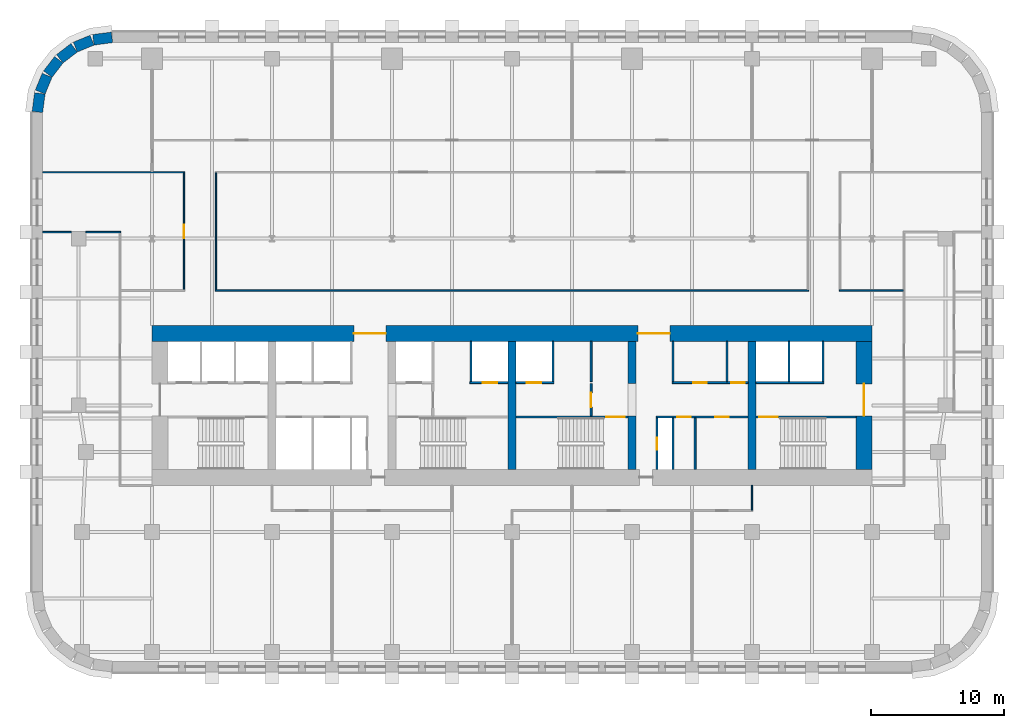
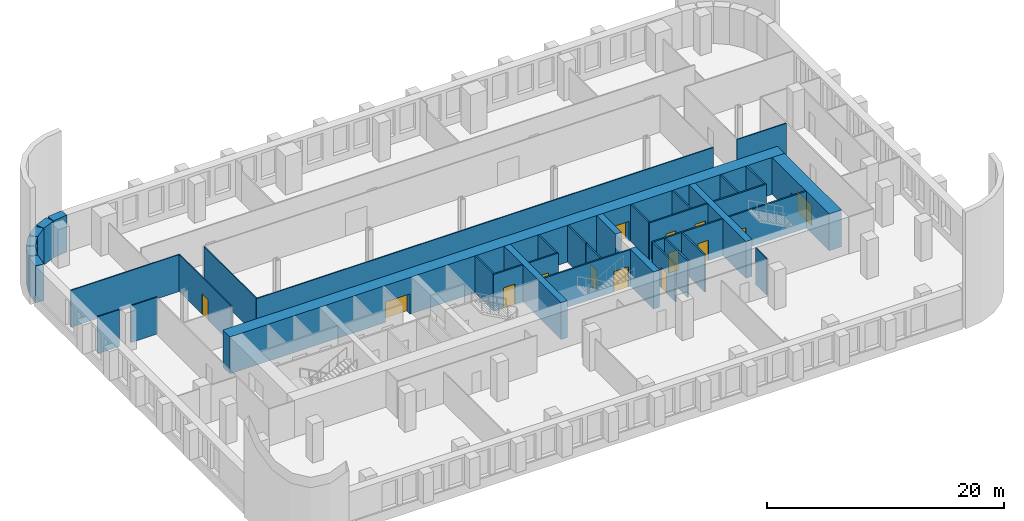
# One storey, part 6 of 12: 38 walls, 14 doors, 14 openings.
"""IFC4 building model written with IfcOpenShell, lengths in metres."""

from ifc_helpers import new_model, si_unit, direction, frame, frame_2d, origin, place, context, subcontext, project, spatial, rectangle, extrude, material, layer, layer_set, type_object, element, fill, save


model = new_model("IFC4")

# Units and contexts
model_context = context("Model", 3, precision=1e-05, world=origin(), true_north=direction((0.0, 1.0)))
body_context = subcontext(model_context, "Body", "Model", "MODEL_VIEW")
ifc_project = project(units=[si_unit("LENGTHUNIT", "METRE"), si_unit("AREAUNIT", "SQUARE_METRE"), si_unit("VOLUMEUNIT", "CUBIC_METRE"), si_unit("PLANEANGLEUNIT", "RADIAN"), si_unit("MASSUNIT", "GRAM", prefix="KILO")], contexts=[model_context])

# Site, building, storey
site_placement = place(None, origin())
site = spatial("IfcSite", under=ifc_project, at=site_placement, CompositionType="ELEMENT")
building_placement = place(site_placement, origin())
building = spatial("IfcBuilding", under=site, at=building_placement, Name="Zellij Exchange Tower", CompositionType="ELEMENT")
storey_placement = place(building_placement, frame((0.0, 0.0, 88.5)))
storey = spatial("IfcBuildingStorey", under=building, at=storey_placement, Name="L18", CompositionType="ELEMENT", Elevation=88.5)

# Walls
ifc_material_1 = material(Name="Concrete C70/85", Category="concrete")
ifc_layer_1 = layer(ifc_material_1, 0.60009765625)
ifc_layer_set_1 = layer_set([ifc_layer_1], Name="Concrete C70/85")
wall_type_1 = type_object("IfcWallType", Name="CORE-CW 600 C70/85", PredefinedType="SHEAR", material=ifc_layer_set_1)
wall_1_placement = place(storey_placement, frame((0.0, -12.800048828125, 0.0), z_axis=(0.0, 0.0, 1.0), x_axis=(0.0, 1.0, 0.0)))
element("IfcWall", 1, at=wall_1_placement, inside=storey, type_object=wall_type_1, Name="Core cross wall x 0 L18", PredefinedType="SHEAR", context=body_context, shape_type="SweptSolid", body=[
    extrude(rectangle(XDim=9.60009765625, YDim=0.60009765625, at=frame_2d((4.800048828125, 0.0))), origin(), (0.0, 0.0, 1.0), 3.800048828125),
])
wall_2_placement = place(storey_placement, frame((9.0, -12.800048828125, 0.0), z_axis=(0.0, 0.0, 1.0), x_axis=(0.0, 1.0, 0.0)))
element("IfcWall", 2, at=wall_2_placement, inside=storey, type_object=wall_type_1, Name="Core cross wall pier x 9 a L18", PredefinedType="SHEAR", context=body_context, shape_type="SweptSolid", body=[
    extrude(rectangle(XDim=4.0, YDim=0.60009765625, at=frame_2d((2.0, 0.0))), origin(), (0.0, 0.0, 1.0), 3.800048828125),
])
wall_3_placement = place(storey_placement, frame((9.0, -6.375, 0.0), z_axis=(0.0, 0.0, 1.0), x_axis=(0.0, 1.0, 0.0)))
element("IfcWall", 3, at=wall_3_placement, inside=storey, type_object=wall_type_1, Name="Core cross wall pier x 9 b L18", PredefinedType="SHEAR", context=body_context, shape_type="SweptSolid", body=[
    extrude(rectangle(XDim=3.175048828125, YDim=0.60009765625, at=frame_2d((1.58740234375, 0.0))), origin(), (0.0, 0.0, 1.0), 3.800048828125),
])
wall_4_placement = place(storey_placement, frame((18.0, -12.800048828125, 0.0), z_axis=(0.0, 0.0, 1.0), x_axis=(0.0, 1.0, 0.0)))
element("IfcWall", 4, at=wall_4_placement, inside=storey, type_object=wall_type_1, Name="Core cross wall x 18 L18", PredefinedType="SHEAR", context=body_context, shape_type="SweptSolid", body=[
    extrude(rectangle(XDim=9.60009765625, YDim=0.60009765625, at=frame_2d((4.800048828125, 0.0))), origin(), (0.0, 0.0, 1.0), 3.800048828125),
])

# Wall, opening, door
ifc_material_2 = material(Name="Gypsum shaft wall system")
ifc_layer_2 = layer(ifc_material_2, 0.14990234375)
ifc_layer_set_2 = layer_set([ifc_layer_2], Name="Gypsum shaft wall system")
wall_type_2 = type_object("IfcWallType", Name="CORE-PW 150 Firefighting lobby wall", PredefinedType="PARTITIONING", material=ifc_layer_set_2)
wall_5_placement = place(storey_placement, frame((5.925048828125, -8.800048828125, 0.0), z_axis=(0.0, 0.0, 1.0), x_axis=(0.0, 1.0, 0.0)))
wall_5 = element("IfcWall", 5, at=wall_5_placement, inside=storey, type_object=wall_type_2, Name="Firefighting lobby wall L18", PredefinedType="PARTITIONING", context=body_context, shape_type="SweptSolid", body=[
    extrude(rectangle(XDim=2.425048828125, YDim=0.14990234375, at=frame_2d((1.21240234375, 0.0))), origin(), (0.0, 0.0, 1.0), 3.800048828125),
])
opening_1_placement = place(wall_5_placement, frame((0.662109375, 0.0, 0.0)))
opening_1 = element("IfcOpeningElement", 6, at=opening_1_placement, cuts=wall_5, Name="Opening CA-10.18", PredefinedType="OPENING", context=body_context, shape_type="SweptSolid", body=[
    extrude(rectangle(XDim=1.10009765625, YDim=2.10009765625, at=frame_2d((0.550048828125, 1.050048828125))), frame((0.0, 0.0869140625, 0.0), z_axis=(0.0, -1.0, 0.0), x_axis=(1.0, 0.0, 0.0)), (0.0, 0.0, 1.0), 0.173828125),
])
ifc_material_3 = material(Name="Hollow metal fire door")
door_type_1 = type_object("IfcDoorType", Name="CORE-D F Firefighting lobby door 1100x2100 1 HR", OperationType="NOTDEFINED", PredefinedType="DOOR", material=ifc_material_3)
door_1_placement = place(opening_1_placement, origin())
door_1 = element("IfcDoor", 7, at=door_1_placement, inside=storey, type_object=door_type_1, Name="Firefighting lobby door CA-10.18", OperationType="SINGLE_SWING_RIGHT", OverallHeight=2.10009765625, OverallWidth=1.10009765625, PredefinedType="DOOR", context=body_context, shape_type="SweptSolid", body=[
    extrude(rectangle(XDim=1.10009765625, YDim=2.10009765625, at=frame_2d((0.550048828125, 1.050048828125))), frame((0.0, 0.02490234375, 0.0), z_axis=(0.0, -1.0, 0.0), x_axis=(1.0, 0.0, 0.0)), (0.0, 0.0, 1.0), 0.050048828125),
])
fill(opening_1, door_1)

# Walls
ifc_material_4 = material(Name="Gypsum board partition")
ifc_layer_3 = layer(ifc_material_4, 0.14990234375)
ifc_layer_set_3 = layer_set([ifc_layer_3], Name="Gypsum board partition")
wall_type_3 = type_object("IfcWallType", Name="CORE-PW 150 Lift lobby wall", PredefinedType="PARTITIONING", material=ifc_layer_set_3)
for number, where, z_axis, x_axis, name in (
    (8, (5.925048828125, -6.22509765625, 0.0), (0.0, 0.0, 1.0), (0.0, 1.0, 0.0), "Lift lobby wall L18"),
    (9, (12.074951171875, -6.22509765625, 0.0), (0.0, 0.0, 1.0), (0.0, 1.0, 0.0), "Lift lobby wall L18"),
    (10, (16.125, -6.22509765625, 0.0), (0.0, 0.0, 1.0), (0.0, 1.0, 0.0), "Lift lobby wall L18"),
):
    element("IfcWall", number, at=place(storey_placement, frame(where, z_axis=z_axis, x_axis=x_axis)), inside=storey, type_object=wall_type_3, Name=name, PredefinedType="PARTITIONING", context=body_context, shape_type="SweptSolid", body=[
        extrude(rectangle(XDim=3.025146484375, YDim=0.14990234375, at=frame_2d((1.5126953125, 0.0))), origin(), (0.0, 0.0, 1.0), 3.800048828125),
    ])

# Wall, opening, door
wall_6_placement = place(storey_placement, frame((10.875, -12.800048828125, 0.0), z_axis=(0.0, 0.0, 1.0), x_axis=(0.0, 1.0, 0.0)))
wall_6 = element("IfcWall", 11, at=wall_6_placement, inside=storey, type_object=wall_type_3, Name="Lift lobby wall L18", PredefinedType="PARTITIONING", context=body_context, shape_type="SweptSolid", body=[
    extrude(rectangle(XDim=3.85009765625, YDim=0.14990234375, at=frame_2d((1.925048828125, 0.0))), origin(), (0.0, 0.0, 1.0), 3.800048828125),
])
opening_2_placement = place(wall_6_placement, frame((1.47509765625, 0.0, 0.0)))
opening_2 = element("IfcOpeningElement", 12, at=opening_2_placement, cuts=wall_6, Name="Opening CA-10.22", PredefinedType="OPENING", context=body_context, shape_type="SweptSolid", body=[
    extrude(rectangle(XDim=0.89990234375, YDim=2.10009765625, at=frame_2d((0.449951171875, 1.050048828125))), frame((0.0, 0.0869140625, 0.0), z_axis=(0.0, -1.0, 0.0), x_axis=(1.0, 0.0, 0.0)), (0.0, 0.0, 1.0), 0.173828125),
])
door_type_2 = type_object("IfcDoorType", Name="CORE-D RD Riser door 900x2100 1.5 HR", OperationType="NOTDEFINED", PredefinedType="DOOR", material=ifc_material_3)
door_2_placement = place(opening_2_placement, origin())
door_2 = element("IfcDoor", 13, at=door_2_placement, inside=storey, type_object=door_type_2, Name="Riser door CA-10.22", OperationType="SINGLE_SWING_LEFT", OverallHeight=2.10009765625, OverallWidth=0.89990234375, PredefinedType="DOOR", context=body_context, shape_type="SweptSolid", body=[
    extrude(rectangle(XDim=0.89990234375, YDim=2.10009765625, at=frame_2d((0.449951171875, 1.050048828125))), frame((0.0, 0.02490234375, 0.0), z_axis=(0.0, -1.0, 0.0), x_axis=(1.0, 0.0, 0.0)), (0.0, 0.0, 1.0), 0.050048828125),
])
fill(opening_2, door_2)

# Walls
for number, where, z_axis, x_axis, name in (
    (14, (12.074951171875, -12.800048828125, 0.0), (0.0, 0.0, 1.0), (0.0, 1.0, 0.0), "Lift lobby wall L18"),
    (15, (13.72509765625, -12.800048828125, 0.0), (0.0, 0.0, 1.0), (0.0, 1.0, 0.0), "Lift lobby wall L18"),
):
    element("IfcWall", number, at=place(storey_placement, frame(where, z_axis=z_axis, x_axis=x_axis)), inside=storey, type_object=wall_type_3, Name=name, PredefinedType="PARTITIONING", context=body_context, shape_type="SweptSolid", body=[
        extrude(rectangle(XDim=3.85009765625, YDim=0.14990234375, at=frame_2d((1.925048828125, 0.0))), origin(), (0.0, 0.0, 1.0), 3.800048828125),
    ])

# Wall, openings, doors
wall_7_placement = place(storey_placement, frame((12.0, -6.300048828125, 0.0), z_axis=(0.0, 0.0, 1.0), x_axis=(1.0, 0.0, 0.0)))
wall_7 = element("IfcWall", 16, at=wall_7_placement, inside=storey, type_object=wall_type_3, Name="Lift lobby wall L18", PredefinedType="PARTITIONING", context=body_context, shape_type="SweptSolid", body=[
    extrude(rectangle(XDim=5.699951171875, YDim=0.14990234375, at=frame_2d((2.85009765625, 0.0))), origin(), (0.0, 0.0, 1.0), 3.800048828125),
])
opening_3_placement = place(wall_7_placement, frame((1.60009765625, 0.0, 0.0)))
opening_3 = element("IfcOpeningElement", 17, at=opening_3_placement, cuts=wall_7, Name="Opening CA-10.24", PredefinedType="OPENING", context=body_context, shape_type="SweptSolid", body=[
    extrude(rectangle(XDim=1.0, YDim=2.10009765625, at=frame_2d((0.5, 1.050048828125))), frame((0.0, 0.0869140625, 0.0), z_axis=(0.0, -1.0, 0.0), x_axis=(1.0, 0.0, 0.0)), (0.0, 0.0, 1.0), 0.173828125),
])
opening_4_placement = place(wall_7_placement, frame((4.449951171875, 0.0, 0.0)))
opening_4 = element("IfcOpeningElement", 18, at=opening_4_placement, cuts=wall_7, Name="Opening CA-10.26", PredefinedType="OPENING", context=body_context, shape_type="SweptSolid", body=[
    extrude(rectangle(XDim=1.0, YDim=2.10009765625, at=frame_2d((0.5, 1.050048828125))), frame((0.0, 0.0869140625, 0.0), z_axis=(0.0, -1.0, 0.0), x_axis=(1.0, 0.0, 0.0)), (0.0, 0.0, 1.0), 0.173828125),
])
door_type_3 = type_object("IfcDoorType", Name="CORE-D CD Core room door 1000x2100 1 HR", OperationType="NOTDEFINED", PredefinedType="DOOR", material=ifc_material_3)
door_3_placement = place(opening_3_placement, origin())
door_3 = element("IfcDoor", 19, at=door_3_placement, inside=storey, type_object=door_type_3, Name="Core room door CA-10.24", OperationType="SINGLE_SWING_LEFT", OverallHeight=2.10009765625, OverallWidth=1.0, PredefinedType="DOOR", context=body_context, shape_type="SweptSolid", body=[
    extrude(rectangle(XDim=1.0, YDim=2.10009765625, at=frame_2d((0.5, 1.050048828125))), frame((0.0, 0.02490234375, 0.0), z_axis=(0.0, -1.0, 0.0), x_axis=(1.0, 0.0, 0.0)), (0.0, 0.0, 1.0), 0.050048828125),
])
fill(opening_3, door_3)
door_4_placement = place(opening_4_placement, origin())
door_4 = element("IfcDoor", 20, at=door_4_placement, inside=storey, type_object=door_type_3, Name="Core room door CA-10.26", OperationType="SINGLE_SWING_RIGHT", OverallHeight=2.10009765625, OverallWidth=1.0, PredefinedType="DOOR", context=body_context, shape_type="SweptSolid", body=[
    extrude(rectangle(XDim=1.0, YDim=2.10009765625, at=frame_2d((0.5, 1.050048828125))), frame((0.0, 0.02490234375, 0.0), z_axis=(0.0, -1.0, 0.0), x_axis=(1.0, 0.0, 0.0)), (0.0, 0.0, 1.0), 0.050048828125),
])
fill(opening_4, door_4)

wall_8_placement = place(storey_placement, frame((10.800048828125, -8.875, 0.0), z_axis=(0.0, 0.0, 1.0), x_axis=(1.0, 0.0, 0.0)))
wall_8 = element("IfcWall", 21, at=wall_8_placement, inside=storey, type_object=wall_type_3, Name="Lift lobby wall L18", PredefinedType="PARTITIONING", context=body_context, shape_type="SweptSolid", body=[
    extrude(rectangle(XDim=6.89990234375, YDim=0.14990234375, at=frame_2d((3.449951171875, 0.0))), origin(), (0.0, 0.0, 1.0), 3.800048828125),
])
opening_5_placement = place(wall_8_placement, frame((1.60009765625, 0.0, 0.0)))
opening_5 = element("IfcOpeningElement", 22, at=opening_5_placement, cuts=wall_8, Name="Opening CA-10.23", PredefinedType="OPENING", context=body_context, shape_type="SweptSolid", body=[
    extrude(rectangle(XDim=1.0, YDim=2.10009765625, at=frame_2d((0.5, 1.050048828125))), frame((0.0, 0.0869140625, 0.0), z_axis=(0.0, -1.0, 0.0), x_axis=(1.0, 0.0, 0.0)), (0.0, 0.0, 1.0), 0.173828125),
])
opening_6_placement = place(wall_8_placement, frame((4.449951171875, 0.0, 0.0)))
opening_6 = element("IfcOpeningElement", 23, at=opening_6_placement, cuts=wall_8, Name="Opening CA-10.25", PredefinedType="OPENING", context=body_context, shape_type="SweptSolid", body=[
    extrude(rectangle(XDim=1.0, YDim=2.10009765625, at=frame_2d((0.5, 1.050048828125))), frame((0.0, 0.0869140625, 0.0), z_axis=(0.0, -1.0, 0.0), x_axis=(1.0, 0.0, 0.0)), (0.0, 0.0, 1.0), 0.173828125),
])
door_5_placement = place(opening_5_placement, origin())
door_5 = element("IfcDoor", 24, at=door_5_placement, inside=storey, type_object=door_type_3, Name="Core room door CA-10.23", OperationType="SINGLE_SWING_RIGHT", OverallHeight=2.10009765625, OverallWidth=1.0, PredefinedType="DOOR", context=body_context, shape_type="SweptSolid", body=[
    extrude(rectangle(XDim=1.0, YDim=2.10009765625, at=frame_2d((0.5, 1.050048828125))), frame((0.0, 0.02490234375, 0.0), z_axis=(0.0, -1.0, 0.0), x_axis=(1.0, 0.0, 0.0)), (0.0, 0.0, 1.0), 0.050048828125),
])
fill(opening_5, door_5)
door_6_placement = place(opening_6_placement, origin())
door_6 = element("IfcDoor", 25, at=door_6_placement, inside=storey, type_object=door_type_3, Name="Core room door CA-10.25", OperationType="SINGLE_SWING_LEFT", OverallHeight=2.10009765625, OverallWidth=1.0, PredefinedType="DOOR", context=body_context, shape_type="SweptSolid", body=[
    extrude(rectangle(XDim=1.0, YDim=2.10009765625, at=frame_2d((0.5, 1.050048828125))), frame((0.0, 0.02490234375, 0.0), z_axis=(0.0, -1.0, 0.0), x_axis=(1.0, 0.0, 0.0)), (0.0, 0.0, 1.0), 0.050048828125),
])
fill(opening_6, door_6)

# Walls
ifc_layer_4 = layer(ifc_material_2, 0.14990234375)
ifc_layer_set_4 = layer_set([ifc_layer_4], Name="Gypsum shaft wall system")
wall_type_4 = type_object("IfcWallType", Name="CORE-PW 150 Lift shaft wall", PredefinedType="PARTITIONING", material=ifc_layer_set_4)
for number, where, z_axis, x_axis, name in (
    (26, (-3.074951171875, -6.22509765625, 0.0), (0.0, 0.0, 1.0), (0.0, 1.0, 0.0), "Lift shaft wall L18"),
    (27, (3.074951171875, -6.22509765625, 0.0), (0.0, 0.0, 1.0), (0.0, 1.0, 0.0), "Lift shaft wall L18"),
    (28, (20.77490234375, -6.22509765625, 0.0), (0.0, 0.0, 1.0), (0.0, 1.0, 0.0), "Lift shaft wall L18"),
    (29, (23.324951171875, -6.22509765625, 0.0), (0.0, 0.0, 1.0), (0.0, 1.0, 0.0), "Lift shaft wall L18"),
):
    element("IfcWall", number, at=place(storey_placement, frame(where, z_axis=z_axis, x_axis=x_axis)), inside=storey, type_object=wall_type_4, Name=name, PredefinedType="PARTITIONING", context=body_context, shape_type="SweptSolid", body=[
        extrude(rectangle(XDim=3.025146484375, YDim=0.14990234375, at=frame_2d((1.5126953125, 0.0))), origin(), (0.0, 0.0, 1.0), 3.800048828125),
    ])

# Wall, opening, door
wall_9_placement = place(storey_placement, frame((-3.14990234375, -6.300048828125, 0.0), z_axis=(0.0, 0.0, 1.0), x_axis=(1.0, 0.0, 0.0)))
wall_9 = element("IfcWall", 30, at=wall_9_placement, inside=storey, type_object=wall_type_4, Name="Lift shaft wall L18", PredefinedType="PARTITIONING", context=body_context, shape_type="SweptSolid", body=[
    extrude(rectangle(XDim=2.849853515625, YDim=0.14990234375, at=frame_2d((1.4248046875, 0.0))), origin(), (0.0, 0.0, 1.0), 3.800048828125),
])
opening_7_placement = place(wall_9_placement, frame((0.949951171875, 0.0, 0.0)))
opening_7 = element("IfcOpeningElement", 31, at=opening_7_placement, cuts=wall_9, Name="Opening CA-10.16", PredefinedType="OPENING", context=body_context, shape_type="SweptSolid", body=[
    extrude(rectangle(XDim=1.10009765625, YDim=2.10009765625, at=frame_2d((0.550048828125, 1.050048828125))), frame((0.0, 0.0869140625, 0.0), z_axis=(0.0, -1.0, 0.0), x_axis=(1.0, 0.0, 0.0)), (0.0, 0.0, 1.0), 0.173828125),
])
door_type_4 = type_object("IfcDoorType", Name="CORE-D LD Lift landing door 1100x2100 1.5 HR", OperationType="NOTDEFINED", PredefinedType="DOOR", material=ifc_material_3)
door_7_placement = place(opening_7_placement, origin())
door_7 = element("IfcDoor", 32, at=door_7_placement, inside=storey, type_object=door_type_4, Name="Lift landing door CA-10.16", OperationType="SLIDING_TO_RIGHT", OverallHeight=2.10009765625, OverallWidth=1.10009765625, PredefinedType="DOOR", context=body_context, shape_type="SweptSolid", body=[
    extrude(rectangle(XDim=1.10009765625, YDim=2.10009765625, at=frame_2d((0.550048828125, 1.050048828125))), frame((0.0, 0.02490234375, 0.0), z_axis=(0.0, -1.0, 0.0), x_axis=(1.0, 0.0, 0.0)), (0.0, 0.0, 1.0), 0.050048828125),
])
fill(opening_7, door_7)

wall_10_placement = place(storey_placement, frame((0.300048828125, -6.300048828125, 0.0), z_axis=(0.0, 0.0, 1.0), x_axis=(1.0, 0.0, 0.0)))
wall_10 = element("IfcWall", 33, at=wall_10_placement, inside=storey, type_object=wall_type_4, Name="Lift shaft wall L18", PredefinedType="PARTITIONING", context=body_context, shape_type="SweptSolid", body=[
    extrude(rectangle(XDim=2.849853515625, YDim=0.14990234375, at=frame_2d((1.4248046875, 0.0))), origin(), (0.0, 0.0, 1.0), 3.800048828125),
])
opening_8_placement = place(wall_10_placement, frame((0.800048828125, 0.0, 0.0)))
opening_8 = element("IfcOpeningElement", 34, at=opening_8_placement, cuts=wall_10, Name="Opening CA-10.17", PredefinedType="OPENING", context=body_context, shape_type="SweptSolid", body=[
    extrude(rectangle(XDim=1.10009765625, YDim=2.10009765625, at=frame_2d((0.550048828125, 1.050048828125))), frame((0.0, 0.0869140625, 0.0), z_axis=(0.0, -1.0, 0.0), x_axis=(1.0, 0.0, 0.0)), (0.0, 0.0, 1.0), 0.173828125),
])
door_8_placement = place(opening_8_placement, origin())
door_8 = element("IfcDoor", 35, at=door_8_placement, inside=storey, type_object=door_type_4, Name="Lift landing door CA-10.17", OperationType="SLIDING_TO_LEFT", OverallHeight=2.10009765625, OverallWidth=1.10009765625, PredefinedType="DOOR", context=body_context, shape_type="SweptSolid", body=[
    extrude(rectangle(XDim=1.10009765625, YDim=2.10009765625, at=frame_2d((0.550048828125, 1.050048828125))), frame((0.0, 0.02490234375, 0.0), z_axis=(0.0, -1.0, 0.0), x_axis=(1.0, 0.0, 0.0)), (0.0, 0.0, 1.0), 0.050048828125),
])
fill(opening_8, door_8)

# Wall
wall_11_placement = place(storey_placement, frame((18.300048828125, -6.300048828125, 0.0), z_axis=(0.0, 0.0, 1.0), x_axis=(1.0, 0.0, 0.0)))
element("IfcWall", 36, at=wall_11_placement, inside=storey, type_object=wall_type_4, Name="Lift shaft wall L18", PredefinedType="PARTITIONING", context=body_context, shape_type="SweptSolid", body=[
    extrude(rectangle(XDim=5.099853515625, YDim=0.14990234375, at=frame_2d((2.5498046875, 0.0))), origin(), (0.0, 0.0, 1.0), 3.800048828125),
])

# Wall, openings, doors
ifc_layer_5 = layer(ifc_material_1, 1.199951171875)
ifc_layer_set_5 = layer_set([ifc_layer_5], Name="Concrete C70/85")
wall_type_5 = type_object("IfcWallType", Name="CORE-SW 1200 C70/85", PredefinedType="SHEAR", material=ifc_layer_set_5)
wall_12_placement = place(storey_placement, frame((-27.0, -2.60009765625, 0.0), z_axis=(0.0, 0.0, 1.0), x_axis=(1.0, 0.0, 0.0)))
wall_12 = element("IfcWall", 37, at=wall_12_placement, inside=storey, type_object=wall_type_5, Name="Core shear wall front L18", PredefinedType="SHEAR", context=body_context, shape_type="SweptSolid", body=[
    extrude(rectangle(XDim=54.0, YDim=1.199951171875, at=frame_2d((27.0, 0.0))), origin(), (0.0, 0.0, 1.0), 3.800048828125),
])
opening_9_placement = place(wall_12_placement, frame((15.14990234375, 0.0, 0.0)))
opening_9 = element("IfcOpeningElement", 38, at=opening_9_placement, cuts=wall_12, Name="Opening CA-10.11", PredefinedType="OPENING", context=body_context, shape_type="SweptSolid", body=[
    extrude(rectangle(XDim=2.39990234375, YDim=2.10009765625, at=frame_2d((1.199951171875, 1.050048828125))), frame((0.0, 0.61181640625, 0.0), z_axis=(0.0, -1.0, 0.0), x_axis=(1.0, 0.0, 0.0)), (0.0, 0.0, 1.0), 1.223876953125),
])
opening_10_placement = place(wall_12_placement, frame((36.449951171875, 0.0, 0.0)))
opening_10 = element("IfcOpeningElement", 39, at=opening_10_placement, cuts=wall_12, Name="Opening CA-10.21", PredefinedType="OPENING", context=body_context, shape_type="SweptSolid", body=[
    extrude(rectangle(XDim=2.39990234375, YDim=2.10009765625, at=frame_2d((1.199951171875, 1.050048828125))), frame((0.0, 0.61181640625, 0.0), z_axis=(0.0, -1.0, 0.0), x_axis=(1.0, 0.0, 0.0)), (0.0, 0.0, 1.0), 1.223876953125),
])
door_type_5 = type_object("IfcDoorType", Name="CORE-D CE Core entrance door 2400x2100 20 MIN", OperationType="NOTDEFINED", PredefinedType="DOOR", material=ifc_material_3)
door_9_placement = place(opening_9_placement, origin())
door_9 = element("IfcDoor", 40, at=door_9_placement, inside=storey, type_object=door_type_5, Name="Core entrance door CA-10.11", OperationType="DOUBLE_DOOR_SINGLE_SWING", OverallHeight=2.10009765625, OverallWidth=2.39990234375, PredefinedType="DOOR", context=body_context, shape_type="SweptSolid", body=[
    extrude(rectangle(XDim=2.39990234375, YDim=2.10009765625, at=frame_2d((1.199951171875, 1.050048828125))), frame((0.0, 0.02490234375, 0.0), z_axis=(0.0, -1.0, 0.0), x_axis=(1.0, 0.0, 0.0)), (0.0, 0.0, 1.0), 0.050048828125),
])
fill(opening_9, door_9)
door_10_placement = place(opening_10_placement, origin())
door_10 = element("IfcDoor", 41, at=door_10_placement, inside=storey, type_object=door_type_5, Name="Core entrance door CA-10.21", OperationType="DOUBLE_DOOR_SINGLE_SWING", OverallHeight=2.10009765625, OverallWidth=2.39990234375, PredefinedType="DOOR", context=body_context, shape_type="SweptSolid", body=[
    extrude(rectangle(XDim=2.39990234375, YDim=2.10009765625, at=frame_2d((1.199951171875, 1.050048828125))), frame((0.0, 0.02490234375, 0.0), z_axis=(0.0, -1.0, 0.0), x_axis=(1.0, 0.0, 0.0)), (0.0, 0.0, 1.0), 0.050048828125),
])
fill(opening_10, door_10)

# Wall, opening, door
wall_13_placement = place(storey_placement, frame((26.39990234375, -12.800048828125, 0.0), z_axis=(0.0, 0.0, 1.0), x_axis=(0.0, 1.0, 0.0)))
wall_13 = element("IfcWall", 42, at=wall_13_placement, inside=storey, type_object=wall_type_5, Name="Core shear wall end e L18", PredefinedType="SHEAR", context=body_context, shape_type="SweptSolid", body=[
    extrude(rectangle(XDim=9.60009765625, YDim=1.199951171875, at=frame_2d((4.800048828125, 0.0))), origin(), (0.0, 0.0, 1.0), 3.800048828125),
])
opening_11_placement = place(wall_13_placement, frame((4.011962890625, 0.0, 0.0)))
opening_11 = element("IfcOpeningElement", 43, at=opening_11_placement, cuts=wall_13, Name="Opening CA-10.28", PredefinedType="OPENING", context=body_context, shape_type="SweptSolid", body=[
    extrude(rectangle(XDim=2.39990234375, YDim=2.10009765625, at=frame_2d((1.199951171875, 1.050048828125))), frame((0.0, 0.61181640625, 0.0), z_axis=(0.0, -1.0, 0.0), x_axis=(1.0, 0.0, 0.0)), (0.0, 0.0, 1.0), 1.223876953125),
])
door_11_placement = place(opening_11_placement, origin())
door_11 = element("IfcDoor", 44, at=door_11_placement, inside=storey, type_object=door_type_5, Name="Core entrance door CA-10.28", OperationType="DOUBLE_DOOR_SINGLE_SWING", OverallHeight=2.10009765625, OverallWidth=2.39990234375, PredefinedType="DOOR", context=body_context, shape_type="SweptSolid", body=[
    extrude(rectangle(XDim=2.39990234375, YDim=2.10009765625, at=frame_2d((1.199951171875, 1.050048828125))), frame((0.0, 0.02490234375, 0.0), z_axis=(0.0, -1.0, 0.0), x_axis=(1.0, 0.0, 0.0)), (0.0, 0.0, 1.0), 0.050048828125),
])
fill(opening_11, door_11)

ifc_layer_6 = layer(ifc_material_1, 0.14990234375)
ifc_layer_set_6 = layer_set([ifc_layer_6], Name="Concrete C70/85")
wall_type_6 = type_object("IfcWallType", Name="CORE-SWS 150 C70/85", PredefinedType="SHEAR", material=ifc_layer_set_6)
wall_14_placement = place(storey_placement, frame((0.300048828125, -8.875, 0.0), z_axis=(0.0, 0.0, 1.0), x_axis=(1.0, 0.0, 0.0)))
wall_14 = element("IfcWall", 45, at=wall_14_placement, inside=storey, type_object=wall_type_6, Name="Stair enclosure wall L18", PredefinedType="SHEAR", context=body_context, shape_type="SweptSolid", body=[
    extrude(rectangle(XDim=8.39990234375, YDim=0.14990234375, at=frame_2d((4.199951171875, 0.0))), origin(), (0.0, 0.0, 1.0), 3.800048828125),
])
opening_12_placement = place(wall_14_placement, frame((6.77490234375, 0.0, 0.0)))
opening_12 = element("IfcOpeningElement", 46, at=opening_12_placement, cuts=wall_14, Name="Opening CA-10.19", PredefinedType="OPENING", context=body_context, shape_type="SweptSolid", body=[
    extrude(rectangle(XDim=1.39990234375, YDim=2.10009765625, at=frame_2d((0.699951171875, 1.050048828125))), frame((0.0, 0.0869140625, 0.0), z_axis=(0.0, -1.0, 0.0), x_axis=(1.0, 0.0, 0.0)), (0.0, 0.0, 1.0), 0.173828125),
])
door_type_6 = type_object("IfcDoorType", Name="CORE-D SD Stair door 1400x2100 1.5 HR", OperationType="NOTDEFINED", PredefinedType="DOOR", material=ifc_material_3)
door_12_placement = place(opening_12_placement, origin())
door_12 = element("IfcDoor", 47, at=door_12_placement, inside=storey, type_object=door_type_6, Name="Stair door CA-10.19", OperationType="DOUBLE_DOOR_SINGLE_SWING", OverallHeight=2.10009765625, OverallWidth=1.39990234375, PredefinedType="DOOR", context=body_context, shape_type="SweptSolid", body=[
    extrude(rectangle(XDim=1.39990234375, YDim=2.10009765625, at=frame_2d((0.699951171875, 1.050048828125))), frame((0.0, 0.02490234375, 0.0), z_axis=(0.0, -1.0, 0.0), x_axis=(1.0, 0.0, 0.0)), (0.0, 0.0, 1.0), 0.050048828125),
])
fill(opening_12, door_12)

wall_15_placement = place(storey_placement, frame((18.300048828125, -8.875, 0.0), z_axis=(0.0, 0.0, 1.0), x_axis=(1.0, 0.0, 0.0)))
wall_15 = element("IfcWall", 48, at=wall_15_placement, inside=storey, type_object=wall_type_6, Name="Stair enclosure wall L18", PredefinedType="SHEAR", context=body_context, shape_type="SweptSolid", body=[
    extrude(rectangle(XDim=7.5, YDim=0.14990234375, at=frame_2d((3.75, 0.0))), origin(), (0.0, 0.0, 1.0), 3.800048828125),
])
opening_13_placement = place(wall_15_placement, frame((0.22509765625, 0.0, 0.0)))
opening_13 = element("IfcOpeningElement", 49, at=opening_13_placement, cuts=wall_15, Name="Opening CA-10.27", PredefinedType="OPENING", context=body_context, shape_type="SweptSolid", body=[
    extrude(rectangle(XDim=1.39990234375, YDim=2.10009765625, at=frame_2d((0.699951171875, 1.050048828125))), frame((0.0, 0.0869140625, 0.0), z_axis=(0.0, -1.0, 0.0), x_axis=(1.0, 0.0, 0.0)), (0.0, 0.0, 1.0), 0.173828125),
])
door_13_placement = place(opening_13_placement, origin())
door_13 = element("IfcDoor", 50, at=door_13_placement, inside=storey, type_object=door_type_6, Name="Stair door CA-10.27", OperationType="DOUBLE_DOOR_SINGLE_SWING", OverallHeight=2.10009765625, OverallWidth=1.39990234375, PredefinedType="DOOR", context=body_context, shape_type="SweptSolid", body=[
    extrude(rectangle(XDim=1.39990234375, YDim=2.10009765625, at=frame_2d((0.699951171875, 1.050048828125))), frame((0.0, 0.02490234375, 0.0), z_axis=(0.0, -1.0, 0.0), x_axis=(1.0, 0.0, 0.0)), (0.0, 0.0, 1.0), 0.050048828125),
])
fill(opening_13, door_13)

# Walls
ifc_material_5 = material(Name="Precast concrete C40/50", Category="concrete")
ifc_layer_7 = layer(ifc_material_5, 0.800048828125)
ifc_layer_set_7 = layer_set([ifc_layer_7], Name="Precast concrete C40/50")
wall_type_7 = type_object("IfcWallType", Name="ENV-EW1 Precast stone-piered wall 800", PredefinedType="SOLIDWALL", material=ifc_layer_set_7)
wall_16_placement = place(storey_placement, frame((-29.999755859375, 19.5966796875, 0.0), z_axis=(0.0, 0.0, 1.0), x_axis=(-0.99144603414, -0.130517283865, 0.0)))
element("IfcWall", 51, at=wall_16_placement, inside=storey, type_object=wall_type_7, Name="fac.L18.15", PredefinedType="SOLIDWALL", context=body_context, shape_type="SweptSolid", body=[
    extrude(rectangle(XDim=1.408447265625, YDim=0.800048828125, at=frame_2d((0.7041015625, 0.0))), origin(), (0.0, 0.0, 1.0), 3.800048828125),
])
wall_17_placement = place(storey_placement, frame((-31.497314453125, 19.3857421875, 0.0), z_axis=(0.0, 0.0, 1.0), x_axis=(-0.923847774587, -0.38276009378, 0.0)))
element("IfcWall", 52, at=wall_17_placement, inside=storey, type_object=wall_type_7, Name="fac.L18.16", PredefinedType="SOLIDWALL", context=body_context, shape_type="SweptSolid", body=[
    extrude(rectangle(XDim=1.35546875, YDim=0.800048828125, at=frame_2d((0.677734375, 0.0))), origin(), (0.0, 0.0, 1.0), 3.800048828125),
])
for number, where, z_axis, x_axis, name in (
    (53, (-32.840087890625, 18.814697265625, 0.0), (0.0, 0.0, 1.0), (-0.793272915452, -0.608866226366, 0.0), "fac.L18.17"),
    (54, (-33.9892578125, 17.91552734375, 0.0), (0.0, 0.0, 1.0), (-0.608866226366, -0.793272915452, 0.0), "fac.L18.18"),
):
    element("IfcWall", number, at=place(storey_placement, frame(where, z_axis=z_axis, x_axis=x_axis)), inside=storey, type_object=wall_type_7, Name=name, PredefinedType="SOLIDWALL", context=body_context, shape_type="SweptSolid", body=[
        extrude(rectangle(XDim=1.355712890625, YDim=0.800048828125, at=frame_2d((0.677734375, 0.0))), origin(), (0.0, 0.0, 1.0), 3.800048828125),
    ])
wall_18_placement = place(storey_placement, frame((-34.866943359375, 16.74951171875, 0.0), z_axis=(0.0, 0.0, 1.0), x_axis=(-0.38276009378, -0.923847774587, 0.0)))
element("IfcWall", 55, at=wall_18_placement, inside=storey, type_object=wall_type_7, Name="fac.L18.19", PredefinedType="SOLIDWALL", context=body_context, shape_type="SweptSolid", body=[
    extrude(rectangle(XDim=1.35546875, YDim=0.800048828125, at=frame_2d((0.677734375, 0.0))), origin(), (0.0, 0.0, 1.0), 3.800048828125),
])
wall_19_placement = place(storey_placement, frame((-35.412841796875, 15.396240234375, 0.0), z_axis=(0.0, 0.0, 1.0), x_axis=(-0.130517283865, -0.99144603414, 0.0)))
element("IfcWall", 56, at=wall_19_placement, inside=storey, type_object=wall_type_7, Name="fac.L18.20", PredefinedType="SOLIDWALL", context=body_context, shape_type="SweptSolid", body=[
    extrude(rectangle(XDim=1.408447265625, YDim=0.800048828125, at=frame_2d((0.7041015625, 0.0))), origin(), (0.0, 0.0, 1.0), 3.800048828125),
])
ifc_material_6 = material(Name="Gypsum board partition on steel studs", Category="steel")
ifc_layer_8 = layer(ifc_material_6, 0.10009765625)
ifc_layer_set_8 = layer_set([ifc_layer_8], Name="Gypsum board partition on steel studs")
wall_type_8 = type_object("IfcWallType", Name="FIT-PARTITION-100", PredefinedType="PARTITIONING", material=ifc_layer_set_8)
wall_20_placement = place(storey_placement, frame((18.0, -15.85009765625, 0.0), z_axis=(0.0, 0.0, 1.0), x_axis=(0.0, 1.0, 0.0)))
element("IfcWall", 57, at=wall_20_placement, inside=storey, type_object=wall_type_8, Name="FIT-PARTITION-100 012", PredefinedType="PARTITIONING", context=body_context, shape_type="SweptSolid", body=[
    extrude(rectangle(XDim=1.85009765625, YDim=0.10009765625, at=frame_2d((0.925048828125, 0.0))), origin(), (0.0, 0.0, 1.0), 3.800048828125),
])

# Wall, opening, door
wall_21_placement = place(storey_placement, frame((-24.60009765625, 0.64990234375, 0.0), z_axis=(0.0, 0.0, 1.0), x_axis=(0.0, 1.0, 0.0)))
wall_21 = element("IfcWall", 58, at=wall_21_placement, inside=storey, type_object=wall_type_8, Name="FIT-PARTITION-100 025", PredefinedType="PARTITIONING", context=body_context, shape_type="SweptSolid", body=[
    extrude(rectangle(XDim=8.780029296875, YDim=0.10009765625, at=frame_2d((4.39013671875, 0.0))), origin(), (0.0, 0.0, 1.0), 3.800048828125),
])
opening_14_placement = place(wall_21_placement, frame((3.89990234375, 0.0, 0.0)))
opening_14 = element("IfcOpeningElement", 59, at=opening_14_placement, cuts=wall_21, Name="Opening TD.10", PredefinedType="OPENING", context=body_context, shape_type="SweptSolid", body=[
    extrude(rectangle(XDim=1.0, YDim=2.10009765625, at=frame_2d((0.5, 1.050048828125))), frame((0.0, 0.06201171875, 0.0), z_axis=(0.0, -1.0, 0.0), x_axis=(1.0, 0.0, 0.0)), (0.0, 0.0, 1.0), 0.1240234375),
])
ifc_material_7 = material(Name="Timber door set", Category="wood")
door_type_7 = type_object("IfcDoorType", Name="FIT-D2-WIDE-1000X2100", OperationType="SINGLE_SWING_LEFT", PredefinedType="DOOR", material=ifc_material_7)
door_14_placement = place(opening_14_placement, origin())
door_14 = element("IfcDoor", 60, at=door_14_placement, inside=storey, type_object=door_type_7, Name="Door TD.10", OperationType="SINGLE_SWING_LEFT", OverallHeight=2.10009765625, OverallWidth=1.0, PredefinedType="DOOR", context=body_context, shape_type="SweptSolid", body=[
    extrude(rectangle(XDim=1.0, YDim=2.10009765625, at=frame_2d((0.5, 1.050048828125))), frame((0.0, 0.02490234375, 0.0), z_axis=(0.0, -1.0, 0.0), x_axis=(1.0, 0.0, 0.0)), (0.0, 0.0, 1.0), 0.050048828125),
])
fill(opening_14, door_14)

# Walls
wall_22_placement = place(storey_placement, frame((-22.25, 0.60009765625, 0.0), z_axis=(0.0, 0.0, 1.0), x_axis=(1.0, 0.0, 0.0)))
element("IfcWall", 61, at=wall_22_placement, inside=storey, type_object=wall_type_8, Name="FIT-PARTITION-100 026", PredefinedType="PARTITIONING", context=body_context, shape_type="SweptSolid", body=[
    extrude(rectangle(XDim=44.5, YDim=0.10009765625, at=frame_2d((22.25, 0.0))), origin(), (0.0, 0.0, 1.0), 3.800048828125),
])
wall_23_placement = place(storey_placement, frame((-22.199951171875, 0.64990234375, 0.0), z_axis=(0.0, 0.0, 1.0), x_axis=(0.0, 1.0, 0.0)))
element("IfcWall", 62, at=wall_23_placement, inside=storey, type_object=wall_type_8, Name="FIT-PARTITION-100 027", PredefinedType="PARTITIONING", context=body_context, shape_type="SweptSolid", body=[
    extrude(rectangle(XDim=8.780029296875, YDim=0.10009765625, at=frame_2d((4.39013671875, 0.0))), origin(), (0.0, 0.0, 1.0), 3.800048828125),
])
wall_24_placement = place(storey_placement, frame((24.550048828125, 0.60009765625, 0.0), z_axis=(0.0, 0.0, 1.0), x_axis=(1.0, 0.0, 0.0)))
element("IfcWall", 63, at=wall_24_placement, inside=storey, type_object=wall_type_8, Name="FIT-PARTITION-100 029", PredefinedType="PARTITIONING", context=body_context, shape_type="SweptSolid", body=[
    extrude(rectangle(XDim=4.800048828125, YDim=0.10009765625, at=frame_2d((2.39990234375, 0.0))), origin(), (0.0, 0.0, 1.0), 3.800048828125),
])
wall_25_placement = place(storey_placement, frame((-35.199951171875, 4.989990234375, 0.0), z_axis=(0.0, 0.0, 1.0), x_axis=(1.0, 0.0, 0.0)))
element("IfcWall", 64, at=wall_25_placement, inside=storey, type_object=wall_type_8, Name="FIT-PARTITION-100 031", PredefinedType="PARTITIONING", context=body_context, shape_type="SweptSolid", body=[
    extrude(rectangle(XDim=2.14990234375, YDim=0.10009765625, at=frame_2d((1.074951171875, 0.0))), origin(), (0.0, 0.0, 1.0), 3.800048828125),
])
wall_26_placement = place(storey_placement, frame((-31.949951171875, 4.989990234375, 0.0), z_axis=(0.0, 0.0, 1.0), x_axis=(1.0, 0.0, 0.0)))
element("IfcWall", 65, at=wall_26_placement, inside=storey, type_object=wall_type_8, Name="FIT-PARTITION-100 032", PredefinedType="PARTITIONING", context=body_context, shape_type="SweptSolid", body=[
    extrude(rectangle(XDim=2.599853515625, YDim=0.10009765625, at=frame_2d((1.2998046875, 0.0))), origin(), (0.0, 0.0, 1.0), 3.800048828125),
])
wall_27_placement = place(storey_placement, frame((-35.199951171875, 9.47998046875, 0.0), z_axis=(0.0, 0.0, 1.0), x_axis=(1.0, 0.0, 0.0)))
element("IfcWall", 66, at=wall_27_placement, inside=storey, type_object=wall_type_8, Name="FIT-PARTITION-100 035", PredefinedType="PARTITIONING", context=body_context, shape_type="SweptSolid", body=[
    extrude(rectangle(XDim=10.64990234375, YDim=0.10009765625, at=frame_2d((5.324951171875, 0.0))), origin(), (0.0, 0.0, 1.0), 3.800048828125),
])

save(model, "model.ifc")
